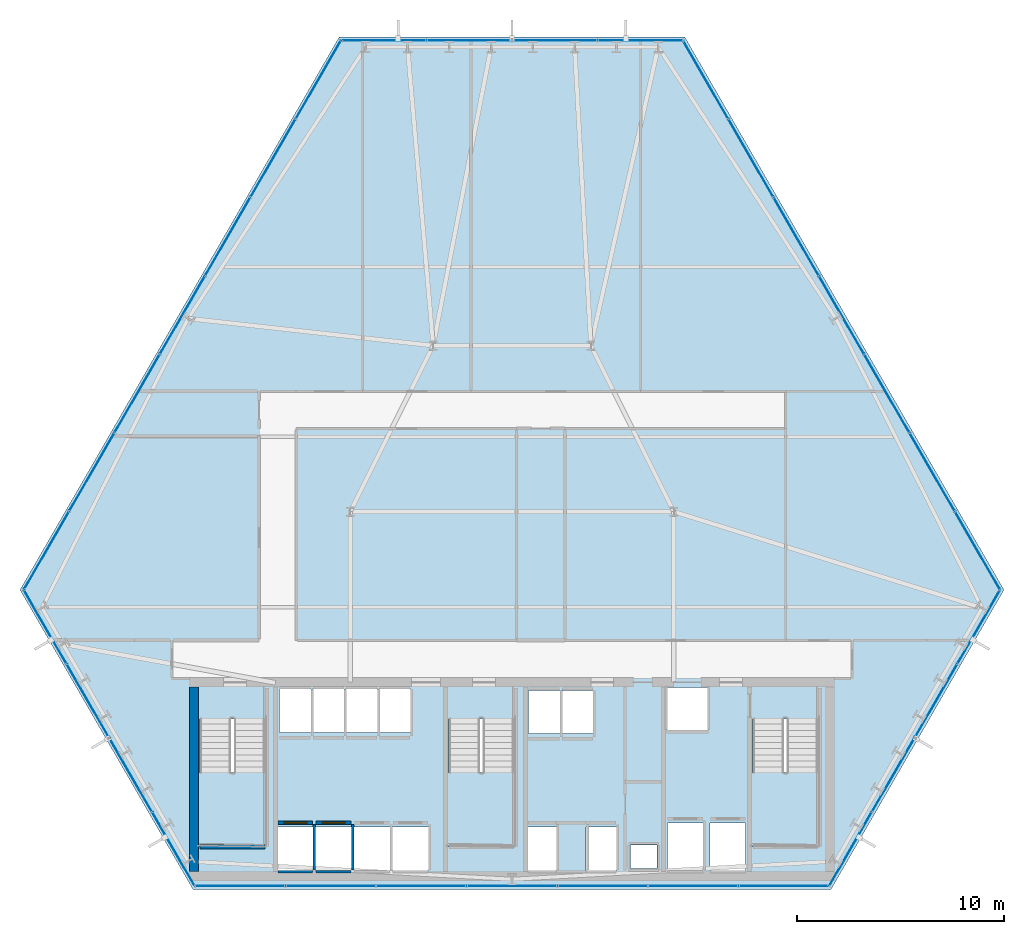
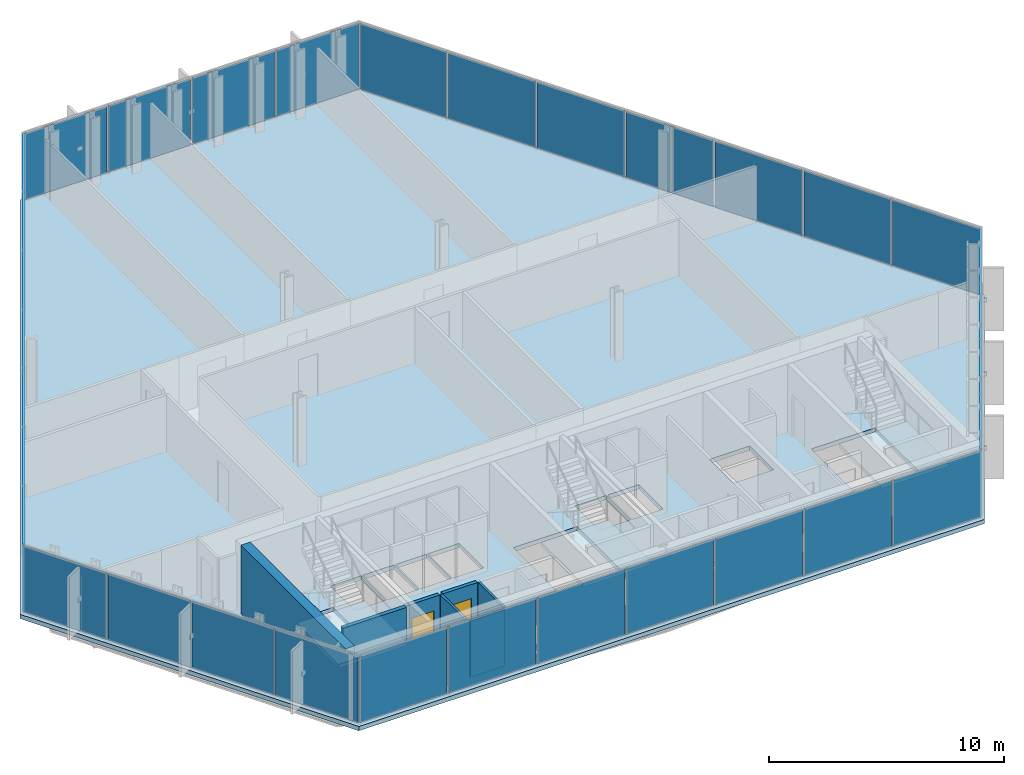
# One storey, part 26 of 33: 33 plates, 8 walls, 4 slabs, 2 doors, 2 openings, 9 elements without a shape of their own.
"""IFC4 building model written with IfcOpenShell, lengths in metres."""

from ifc_helpers import new_model, si_unit, direction, frame, frame_2d, origin, origin_2d, place, context, subcontext, project, spatial, polyline, rectangle, outline, extrude, material, layer, layer_set, type_object, element, fill, aggregate, save


model = new_model("IFC4")

# Units and contexts
model_context = context("Model", 3, precision=1e-05, world=origin(), true_north=direction((0.0, 1.0)))
body_context = subcontext(model_context, "Body", "Model", "MODEL_VIEW")
ifc_project = project(units=[si_unit("LENGTHUNIT", "METRE"), si_unit("AREAUNIT", "SQUARE_METRE"), si_unit("VOLUMEUNIT", "CUBIC_METRE"), si_unit("PLANEANGLEUNIT", "RADIAN"), si_unit("MASSUNIT", "GRAM", prefix="KILO")], contexts=[model_context])

# Site, building, storey
site_placement = place(None, origin())
site = spatial("IfcSite", under=ifc_project, at=site_placement, CompositionType="ELEMENT")
building_placement = place(site_placement, origin())
building = spatial("IfcBuilding", under=site, at=building_placement, Name="Ndaravel Arena Tower", CompositionType="ELEMENT")
storey_placement = place(building_placement, frame((0.0, 0.0, 36.0)))
storey = spatial("IfcBuildingStorey", under=building, at=storey_placement, Name="L06", CompositionType="ELEMENT", Elevation=36.0)

# Curtain wall, plate
ifc_material_1 = material(Name="Aluminium", Category="aluminium")
ifc_layer_1 = layer(ifc_material_1, 0.179931640625)
ifc_layer_set_1 = layer_set([ifc_layer_1], Name="Aluminium")
curtain_wall_type_1 = type_object("IfcCurtainWallType", Name="CW-SYS-01", PredefinedType="NOTDEFINED", material=ifc_layer_set_1)
curtain_wall_1_placement = place(storey_placement, origin())
curtain_wall_1 = element("IfcCurtainWall", 1, at=curtain_wall_1_placement, inside=storey, type_object=curtain_wall_type_1, Name="L06 Faceted Crystal Curtain Wall CW-L06-E02", PredefinedType="NOTDEFINED")
ifc_material_2 = material(Name="Glazing", Category="glass")
ifc_layer_2 = layer(ifc_material_2, 0.035888671875)
ifc_layer_set_2 = layer_set([ifc_layer_2], Name="Glazing")
plate_type_1 = type_object("IfcPlateType", Name="PLT-CW-OPVENT", PredefinedType="CURTAIN_PANEL", material=ifc_layer_set_2)
plate_1_placement = place(storey_placement, frame((60.377685546875, 10.51123046875, 0.06005859375), z_axis=(0.0, 0.0, 1.0), x_axis=(0.5, 0.866025403784, 0.0)))
plate_1 = element("IfcPlate", 2, at=plate_1_placement, type_object=plate_type_1, Name="CW-L06-E02 Operable Vent Sash Panel 02", PredefinedType="CURTAIN_PANEL", context=body_context, shape_type="SweptSolid", body=[
    extrude(rectangle(XDim=4.039306640625, YDim=0.035888671875, at=origin_2d()), origin(), (0.0, 0.0, 1.0), 3.4599609375),
])

curtain_wall_2_placement = place(storey_placement, origin())
curtain_wall_2 = element("IfcCurtainWall", 3, at=curtain_wall_2_placement, inside=storey, type_object=curtain_wall_type_1, Name="L06 Faceted Crystal Curtain Wall CW-L06-E04", PredefinedType="NOTDEFINED")
plate_2_placement = place(storey_placement, frame((44.059814453125, 45.909912109375, 0.06005859375), z_axis=(0.0, 0.0, 1.0), x_axis=(-1.0, 0.0, 0.0)))
plate_2 = element("IfcPlate", 4, at=plate_2_placement, type_object=plate_type_1, Name="CW-L06-E04 Operable Vent Sash Panel 02", PredefinedType="CURTAIN_PANEL", context=body_context, shape_type="SweptSolid", body=[
    extrude(rectangle(XDim=4.039306640625, YDim=0.035888671875, at=origin_2d()), origin(), (0.0, 0.0, 1.0), 3.4599609375),
])

ifc_material_3 = material(Name="Aluminium", Category="aluminium")
ifc_layer_3 = layer(ifc_material_3, 0.179931640625)
ifc_layer_set_3 = layer_set([ifc_layer_3], Name="Aluminium")
curtain_wall_type_2 = type_object("IfcCurtainWallType", Name="CW-SYS-02", PredefinedType="NOTDEFINED", material=ifc_layer_set_3)
curtain_wall_3_placement = place(storey_placement, origin())
curtain_wall_3 = element("IfcCurtainWall", 5, at=curtain_wall_3_placement, inside=storey, type_object=curtain_wall_type_2, Name="L06 Faceted Crystal Curtain Wall CW-L06-E06", PredefinedType="NOTDEFINED")
plate_3_placement = place(storey_placement, frame((21.5625, 14.07861328125, 0.06005859375), z_axis=(0.0, 0.0, 1.0), x_axis=(0.5, -0.866025403784, 0.0)))
plate_3 = element("IfcPlate", 6, at=plate_3_placement, type_object=plate_type_1, Name="CW-L06-E06 Operable Vent Sash Panel 02", PredefinedType="CURTAIN_PANEL", context=body_context, shape_type="SweptSolid", body=[
    extrude(rectangle(XDim=4.039306640625, YDim=0.035888671875, at=origin_2d()), origin(), (0.0, 0.0, 1.0), 3.4599609375),
])

# Plate
ifc_material_4 = material(Name="Glazing", Category="glass")
ifc_layer_4 = layer(ifc_material_4, 0.031982421875)
ifc_layer_set_4 = layer_set([ifc_layer_4], Name="Glazing")
plate_type_2 = type_object("IfcPlateType", Name="PLT-GLZ-FRIT35", PredefinedType="CURTAIN_PANEL", material=ifc_layer_set_4)
plate_4_placement = place(storey_placement, frame((58.318115234375, 6.943603515625, 0.06005859375), z_axis=(0.0, 0.0, 1.0), x_axis=(0.5, 0.866025403784, 0.0)))
plate_4 = element("IfcPlate", 7, at=plate_4_placement, type_object=plate_type_2, Name="CW-L06-E02 Vision Glass Panel 01", PredefinedType="CURTAIN_PANEL", context=body_context, shape_type="SweptSolid", body=[
    extrude(rectangle(XDim=4.039306640625, YDim=0.035888671875, at=origin_2d()), origin(), (0.0, 0.0, 1.0), 3.4599609375),
])

plate_5_placement = place(storey_placement, frame((62.4375, 14.07861328125, 0.06005859375), z_axis=(0.0, 0.0, 1.0), x_axis=(0.5, 0.866025403784, 0.0)))
plate_5 = element("IfcPlate", 8, at=plate_5_placement, type_object=plate_type_2, Name="CW-L06-E02 Vision Glass Panel 03", PredefinedType="CURTAIN_PANEL", context=body_context, shape_type="SweptSolid", body=[
    extrude(rectangle(XDim=4.039306640625, YDim=0.035888671875, at=origin_2d()), origin(), (0.0, 0.0, 1.0), 3.4599609375),
])

plate_6_placement = place(storey_placement, frame((64.497314453125, 17.646240234375, 0.06005859375), z_axis=(0.0, 0.0, 1.0), x_axis=(0.5, 0.866025403784, 0.0)))
plate_6 = element("IfcPlate", 9, at=plate_6_placement, type_object=plate_type_2, Name="CW-L06-E02 Vision Glass Panel 04", PredefinedType="CURTAIN_PANEL", context=body_context, shape_type="SweptSolid", body=[
    extrude(rectangle(XDim=4.039306640625, YDim=0.035888671875, at=origin_2d()), origin(), (0.0, 0.0, 1.0), 3.4599609375),
])

aggregate(curtain_wall_1, [plate_4, plate_1, plate_5, plate_6])

plate_7_placement = place(storey_placement, frame((48.17919921875, 45.909912109375, 0.06005859375), z_axis=(0.0, 0.0, 1.0), x_axis=(-1.0, 0.0, 0.0)))
plate_7 = element("IfcPlate", 10, at=plate_7_placement, type_object=plate_type_2, Name="CW-L06-E04 Vision Glass Panel 01", PredefinedType="CURTAIN_PANEL", context=body_context, shape_type="SweptSolid", body=[
    extrude(rectangle(XDim=4.039306640625, YDim=0.035888671875, at=origin_2d()), origin(), (0.0, 0.0, 1.0), 3.4599609375),
])

plate_8_placement = place(storey_placement, frame((39.940185546875, 45.909912109375, 0.06005859375), z_axis=(0.0, 0.0, 1.0), x_axis=(-1.0, 0.0, 0.0)))
plate_8 = element("IfcPlate", 11, at=plate_8_placement, type_object=plate_type_2, Name="CW-L06-E04 Vision Glass Panel 03", PredefinedType="CURTAIN_PANEL", context=body_context, shape_type="SweptSolid", body=[
    extrude(rectangle(XDim=4.039306640625, YDim=0.035888671875, at=origin_2d()), origin(), (0.0, 0.0, 1.0), 3.4599609375),
])

plate_9_placement = place(storey_placement, frame((35.82080078125, 45.909912109375, 0.06005859375), z_axis=(0.0, 0.0, 1.0), x_axis=(-1.0, 0.0, 0.0)))
plate_9 = element("IfcPlate", 12, at=plate_9_placement, type_object=plate_type_2, Name="CW-L06-E04 Vision Glass Panel 04", PredefinedType="CURTAIN_PANEL", context=body_context, shape_type="SweptSolid", body=[
    extrude(rectangle(XDim=4.039306640625, YDim=0.035888671875, at=origin_2d()), origin(), (0.0, 0.0, 1.0), 3.4599609375),
])

aggregate(curtain_wall_2, [plate_7, plate_2, plate_8, plate_9])

ifc_material_5 = material(Name="Glazing", Category="glass")
ifc_layer_5 = layer(ifc_material_5, 0.035888671875)
ifc_layer_set_5 = layer_set([ifc_layer_5], Name="Glazing")
plate_type_3 = type_object("IfcPlateType", Name="PLT-GLZ-FRIT55", PredefinedType="CURTAIN_PANEL", material=ifc_layer_set_5)
plate_10_placement = place(storey_placement, frame((19.502685546875, 17.646240234375, 0.06005859375), z_axis=(0.0, 0.0, 1.0), x_axis=(0.5, -0.866025403784, 0.0)))
plate_10 = element("IfcPlate", 13, at=plate_10_placement, type_object=plate_type_3, Name="CW-L06-E06 Vision Glass Panel 01", PredefinedType="CURTAIN_PANEL", context=body_context, shape_type="SweptSolid", body=[
    extrude(rectangle(XDim=4.039306640625, YDim=0.035888671875, at=origin_2d()), origin(), (0.0, 0.0, 1.0), 3.4599609375),
])

plate_11_placement = place(storey_placement, frame((23.622314453125, 10.51123046875, 0.06005859375), z_axis=(0.0, 0.0, 1.0), x_axis=(0.5, -0.866025403784, 0.0)))
plate_11 = element("IfcPlate", 14, at=plate_11_placement, type_object=plate_type_3, Name="CW-L06-E06 Vision Glass Panel 03", PredefinedType="CURTAIN_PANEL", context=body_context, shape_type="SweptSolid", body=[
    extrude(rectangle(XDim=4.039306640625, YDim=0.035888671875, at=origin_2d()), origin(), (0.0, 0.0, 1.0), 3.4599609375),
])

plate_12_placement = place(storey_placement, frame((25.681884765625, 6.94384765625, 0.06005859375), z_axis=(0.0, 0.0, 1.0), x_axis=(0.5, -0.866025403784, 0.0)))
plate_12 = element("IfcPlate", 15, at=plate_12_placement, type_object=plate_type_3, Name="CW-L06-E06 Vision Glass Panel 04", PredefinedType="CURTAIN_PANEL", context=body_context, shape_type="SweptSolid", body=[
    extrude(rectangle(XDim=4.039306640625, YDim=0.035888671875, at=origin_2d()), origin(), (0.0, 0.0, 1.0), 3.4599609375),
])

aggregate(curtain_wall_3, [plate_10, plate_3, plate_11, plate_12])

# Curtain wall, plates
ifc_material_6 = material(Name="Aluminium", Category="aluminium")
ifc_layer_6 = layer(ifc_material_6, 0.179931640625)
ifc_layer_set_6 = layer_set([ifc_layer_6], Name="Aluminium")
curtain_wall_type_3 = type_object("IfcCurtainWallType", Name="CW-SYS-03", PredefinedType="NOTDEFINED", material=ifc_layer_set_6)
curtain_wall_4_placement = place(storey_placement, origin())
curtain_wall_4 = element("IfcCurtainWall", 16, at=curtain_wall_4_placement, inside=storey, type_object=curtain_wall_type_3, Name="L06 Faceted Crystal Curtain Wall CW-L06-E01", PredefinedType="NOTDEFINED")
ifc_material_7 = material(Name="Glazing", Category="glass")
ifc_layer_7 = layer(ifc_material_7, 0.0400390625)
ifc_layer_set_7 = layer_set([ifc_layer_7], Name="Glazing")
plate_type_4 = type_object("IfcPlateType", Name="PLT-GLZ-LOWIRON", PredefinedType="CURTAIN_PANEL", material=ifc_layer_set_7)
plate_13_placement = place(storey_placement, frame((28.895751953125, 5.159912109375, 0.06005859375), z_axis=(0.0, 0.0, 1.0), x_axis=(1.0, 0.0, 0.0)))
plate_13 = element("IfcPlate", 17, at=plate_13_placement, type_object=plate_type_4, Name="CW-L06-E01 Vision Glass Panel 01", PredefinedType="CURTAIN_PANEL", context=body_context, shape_type="SweptSolid", body=[
    extrude(rectangle(XDim=4.2880859375, YDim=0.035888671875, at=origin_2d()), origin(), (0.0, 0.0, 1.0), 3.4599609375),
])
plate_14_placement = place(storey_placement, frame((33.263916015625, 5.159912109375, 0.06005859375), z_axis=(0.0, 0.0, 1.0), x_axis=(1.0, 0.0, 0.0)))
plate_14 = element("IfcPlate", 18, at=plate_14_placement, type_object=plate_type_4, Name="CW-L06-E01 Vision Glass Panel 02", PredefinedType="CURTAIN_PANEL", context=body_context, shape_type="SweptSolid", body=[
    extrude(rectangle(XDim=4.2880859375, YDim=0.035888671875, at=origin_2d()), origin(), (0.0, 0.0, 1.0), 3.4599609375),
])
plate_15_placement = place(storey_placement, frame((37.6318359375, 5.159912109375, 0.06005859375), z_axis=(0.0, 0.0, 1.0), x_axis=(1.0, 0.0, 0.0)))
plate_15 = element("IfcPlate", 19, at=plate_15_placement, type_object=plate_type_4, Name="CW-L06-E01 Vision Glass Panel 03", PredefinedType="CURTAIN_PANEL", context=body_context, shape_type="SweptSolid", body=[
    extrude(rectangle(XDim=4.2880859375, YDim=0.035888671875, at=origin_2d()), origin(), (0.0, 0.0, 1.0), 3.4599609375),
])
plate_16_placement = place(storey_placement, frame((42.0, 5.159912109375, 0.06005859375), z_axis=(0.0, 0.0, 1.0), x_axis=(1.0, 0.0, 0.0)))
plate_16 = element("IfcPlate", 20, at=plate_16_placement, type_object=plate_type_4, Name="CW-L06-E01 Vision Glass Panel 04", PredefinedType="CURTAIN_PANEL", context=body_context, shape_type="SweptSolid", body=[
    extrude(rectangle(XDim=4.2880859375, YDim=0.035888671875, at=origin_2d()), origin(), (0.0, 0.0, 1.0), 3.4599609375),
])
plate_17_placement = place(storey_placement, frame((46.3681640625, 5.159912109375, 0.06005859375), z_axis=(0.0, 0.0, 1.0), x_axis=(1.0, 0.0, 0.0)))
plate_17 = element("IfcPlate", 21, at=plate_17_placement, type_object=plate_type_4, Name="CW-L06-E01 Vision Glass Panel 05", PredefinedType="CURTAIN_PANEL", context=body_context, shape_type="SweptSolid", body=[
    extrude(rectangle(XDim=4.2880859375, YDim=0.035888671875, at=origin_2d()), origin(), (0.0, 0.0, 1.0), 3.4599609375),
])
plate_18_placement = place(storey_placement, frame((50.736083984375, 5.159912109375, 0.06005859375), z_axis=(0.0, 0.0, 1.0), x_axis=(1.0, 0.0, 0.0)))
plate_18 = element("IfcPlate", 22, at=plate_18_placement, type_object=plate_type_4, Name="CW-L06-E01 Vision Glass Panel 06", PredefinedType="CURTAIN_PANEL", context=body_context, shape_type="SweptSolid", body=[
    extrude(rectangle(XDim=4.2880859375, YDim=0.035888671875, at=origin_2d()), origin(), (0.0, 0.0, 1.0), 3.4599609375),
])
plate_19_placement = place(storey_placement, frame((55.104248046875, 5.159912109375, 0.06005859375), z_axis=(0.0, 0.0, 1.0), x_axis=(1.0, 0.0, 0.0)))
plate_19 = element("IfcPlate", 23, at=plate_19_placement, type_object=plate_type_4, Name="CW-L06-E01 Vision Glass Panel 07", PredefinedType="CURTAIN_PANEL", context=body_context, shape_type="SweptSolid", body=[
    extrude(rectangle(XDim=4.2880859375, YDim=0.035888671875, at=origin_2d()), origin(), (0.0, 0.0, 1.0), 3.4599609375),
])
aggregate(curtain_wall_4, [plate_13, plate_14, plate_15, plate_16, plate_17, plate_18, plate_19])

curtain_wall_5_placement = place(storey_placement, origin())
curtain_wall_5 = element("IfcCurtainWall", 24, at=curtain_wall_5_placement, inside=storey, type_object=curtain_wall_type_3, Name="L06 Faceted Crystal Curtain Wall CW-L06-E03", PredefinedType="NOTDEFINED")
plate_20_placement = place(storey_placement, frame((64.43505859375, 21.3212890625, 0.06005859375), z_axis=(0.0, 0.0, 1.0), x_axis=(-0.5, 0.866025403784, 0.0)))
plate_20 = element("IfcPlate", 25, at=plate_20_placement, type_object=plate_type_4, Name="CW-L06-E03 Vision Glass Panel 01", PredefinedType="CURTAIN_PANEL", context=body_context, shape_type="SweptSolid", body=[
    extrude(rectangle(XDim=4.2880859375, YDim=0.035888671875, at=origin_2d()), origin(), (0.0, 0.0, 1.0), 3.4599609375),
])
plate_21_placement = place(storey_placement, frame((62.2509765625, 25.104248046875, 0.06005859375), z_axis=(0.0, 0.0, 1.0), x_axis=(-0.5, 0.866025403784, 0.0)))
plate_21 = element("IfcPlate", 26, at=plate_21_placement, type_object=plate_type_4, Name="CW-L06-E03 Vision Glass Panel 02", PredefinedType="CURTAIN_PANEL", context=body_context, shape_type="SweptSolid", body=[
    extrude(rectangle(XDim=4.2880859375, YDim=0.035888671875, at=origin_2d()), origin(), (0.0, 0.0, 1.0), 3.4599609375),
])
plate_22_placement = place(storey_placement, frame((60.06689453125, 28.88720703125, 0.06005859375), z_axis=(0.0, 0.0, 1.0), x_axis=(-0.5, 0.866025403784, 0.0)))
plate_22 = element("IfcPlate", 27, at=plate_22_placement, type_object=plate_type_4, Name="CW-L06-E03 Vision Glass Panel 03", PredefinedType="CURTAIN_PANEL", context=body_context, shape_type="SweptSolid", body=[
    extrude(rectangle(XDim=4.2880859375, YDim=0.035888671875, at=origin_2d()), origin(), (0.0, 0.0, 1.0), 3.4599609375),
])
plate_23_placement = place(storey_placement, frame((57.8828125, 32.669921875, 0.06005859375), z_axis=(0.0, 0.0, 1.0), x_axis=(-0.5, 0.866025403784, 0.0)))
plate_23 = element("IfcPlate", 28, at=plate_23_placement, type_object=plate_type_4, Name="CW-L06-E03 Vision Glass Panel 04", PredefinedType="CURTAIN_PANEL", context=body_context, shape_type="SweptSolid", body=[
    extrude(rectangle(XDim=4.2880859375, YDim=0.035888671875, at=origin_2d()), origin(), (0.0, 0.0, 1.0), 3.4599609375),
])
plate_24_placement = place(storey_placement, frame((55.698974609375, 36.452880859375, 0.06005859375), z_axis=(0.0, 0.0, 1.0), x_axis=(-0.5, 0.866025403784, 0.0)))
plate_24 = element("IfcPlate", 29, at=plate_24_placement, type_object=plate_type_4, Name="CW-L06-E03 Vision Glass Panel 05", PredefinedType="CURTAIN_PANEL", context=body_context, shape_type="SweptSolid", body=[
    extrude(rectangle(XDim=4.2880859375, YDim=0.035888671875, at=origin_2d()), origin(), (0.0, 0.0, 1.0), 3.4599609375),
])
plate_25_placement = place(storey_placement, frame((53.514892578125, 40.235595703125, 0.06005859375), z_axis=(0.0, 0.0, 1.0), x_axis=(-0.5, 0.866025403784, 0.0)))
plate_25 = element("IfcPlate", 30, at=plate_25_placement, type_object=plate_type_4, Name="CW-L06-E03 Vision Glass Panel 06", PredefinedType="CURTAIN_PANEL", context=body_context, shape_type="SweptSolid", body=[
    extrude(rectangle(XDim=4.2880859375, YDim=0.035888671875, at=origin_2d()), origin(), (0.0, 0.0, 1.0), 3.4599609375),
])
plate_26_placement = place(storey_placement, frame((51.330810546875, 44.0185546875, 0.06005859375), z_axis=(0.0, 0.0, 1.0), x_axis=(-0.5, 0.866025403784, 0.0)))
plate_26 = element("IfcPlate", 31, at=plate_26_placement, type_object=plate_type_4, Name="CW-L06-E03 Vision Glass Panel 07", PredefinedType="CURTAIN_PANEL", context=body_context, shape_type="SweptSolid", body=[
    extrude(rectangle(XDim=4.2880859375, YDim=0.035888671875, at=origin_2d()), origin(), (0.0, 0.0, 1.0), 3.4599609375),
])
aggregate(curtain_wall_5, [plate_20, plate_21, plate_22, plate_23, plate_24, plate_25, plate_26])

curtain_wall_6_placement = place(storey_placement, origin())
curtain_wall_6 = element("IfcCurtainWall", 32, at=curtain_wall_6_placement, inside=storey, type_object=curtain_wall_type_3, Name="L06 Faceted Crystal Curtain Wall CW-L06-E05", PredefinedType="NOTDEFINED")
plate_27_placement = place(storey_placement, frame((32.669189453125, 44.0185546875, 0.06005859375), z_axis=(0.0, 0.0, 1.0), x_axis=(-0.5, -0.866025403784, 0.0)))
plate_27 = element("IfcPlate", 33, at=plate_27_placement, type_object=plate_type_4, Name="CW-L06-E05 Vision Glass Panel 01", PredefinedType="CURTAIN_PANEL", context=body_context, shape_type="SweptSolid", body=[
    extrude(rectangle(XDim=4.2880859375, YDim=0.035888671875, at=origin_2d()), origin(), (0.0, 0.0, 1.0), 3.4599609375),
])
plate_28_placement = place(storey_placement, frame((30.485107421875, 40.235595703125, 0.06005859375), z_axis=(0.0, 0.0, 1.0), x_axis=(-0.5, -0.866025403784, 0.0)))
plate_28 = element("IfcPlate", 34, at=plate_28_placement, type_object=plate_type_4, Name="CW-L06-E05 Vision Glass Panel 02", PredefinedType="CURTAIN_PANEL", context=body_context, shape_type="SweptSolid", body=[
    extrude(rectangle(XDim=4.2880859375, YDim=0.035888671875, at=origin_2d()), origin(), (0.0, 0.0, 1.0), 3.4599609375),
])
plate_29_placement = place(storey_placement, frame((28.301025390625, 36.452880859375, 0.06005859375), z_axis=(0.0, 0.0, 1.0), x_axis=(-0.5, -0.866025403784, 0.0)))
plate_29 = element("IfcPlate", 35, at=plate_29_placement, type_object=plate_type_4, Name="CW-L06-E05 Vision Glass Panel 03", PredefinedType="CURTAIN_PANEL", context=body_context, shape_type="SweptSolid", body=[
    extrude(rectangle(XDim=4.2880859375, YDim=0.035888671875, at=origin_2d()), origin(), (0.0, 0.0, 1.0), 3.4599609375),
])
plate_30_placement = place(storey_placement, frame((26.1171875, 32.669921875, 0.06005859375), z_axis=(0.0, 0.0, 1.0), x_axis=(-0.5, -0.866025403784, 0.0)))
plate_30 = element("IfcPlate", 36, at=plate_30_placement, type_object=plate_type_4, Name="CW-L06-E05 Vision Glass Panel 04", PredefinedType="CURTAIN_PANEL", context=body_context, shape_type="SweptSolid", body=[
    extrude(rectangle(XDim=4.2880859375, YDim=0.035888671875, at=origin_2d()), origin(), (0.0, 0.0, 1.0), 3.4599609375),
])
plate_31_placement = place(storey_placement, frame((23.93310546875, 28.88720703125, 0.06005859375), z_axis=(0.0, 0.0, 1.0), x_axis=(-0.5, -0.866025403784, 0.0)))
plate_31 = element("IfcPlate", 37, at=plate_31_placement, type_object=plate_type_4, Name="CW-L06-E05 Vision Glass Panel 05", PredefinedType="CURTAIN_PANEL", context=body_context, shape_type="SweptSolid", body=[
    extrude(rectangle(XDim=4.2880859375, YDim=0.035888671875, at=origin_2d()), origin(), (0.0, 0.0, 1.0), 3.4599609375),
])
plate_32_placement = place(storey_placement, frame((21.7490234375, 25.104248046875, 0.06005859375), z_axis=(0.0, 0.0, 1.0), x_axis=(-0.5, -0.866025403784, 0.0)))
plate_32 = element("IfcPlate", 38, at=plate_32_placement, type_object=plate_type_4, Name="CW-L06-E05 Vision Glass Panel 06", PredefinedType="CURTAIN_PANEL", context=body_context, shape_type="SweptSolid", body=[
    extrude(rectangle(XDim=4.2880859375, YDim=0.035888671875, at=origin_2d()), origin(), (0.0, 0.0, 1.0), 3.4599609375),
])
plate_33_placement = place(storey_placement, frame((19.56494140625, 21.3212890625, 0.06005859375), z_axis=(0.0, 0.0, 1.0), x_axis=(-0.5, -0.866025403784, 0.0)))
plate_33 = element("IfcPlate", 39, at=plate_33_placement, type_object=plate_type_4, Name="CW-L06-E05 Vision Glass Panel 07", PredefinedType="CURTAIN_PANEL", context=body_context, shape_type="SweptSolid", body=[
    extrude(rectangle(XDim=4.2880859375, YDim=0.035888671875, at=origin_2d()), origin(), (0.0, 0.0, 1.0), 3.4599609375),
])
aggregate(curtain_wall_6, [plate_27, plate_28, plate_29, plate_30, plate_31, plate_32, plate_33])

# Stair, slab
ifc_material_8 = material(Name="Concrete C40/50", Category="concrete")
stair_type = type_object("IfcStairType", Name="STAIR-CORE-HT", PredefinedType="HALF_TURN_STAIR", material=ifc_material_8)
stair_1_placement = place(storey_placement, origin())
stair_1 = element("IfcStair", 40, at=stair_1_placement, inside=storey, type_object=stair_type, Name="L06 ST-1", PredefinedType="HALF_TURN_STAIR")
ifc_material_9 = material(Name="Concrete C40/50", Category="concrete")
ifc_layer_8 = layer(ifc_material_9, 0.199951171875)
ifc_layer_set_8 = layer_set([ifc_layer_8], Name="Concrete C40/50")
slab_type_1 = type_object("IfcSlabType", Name="SLAB-STAIR-LANDING", PredefinedType="LANDING", material=ifc_layer_set_8)
slab_1_placement = place(storey_placement, frame((0.0, 0.0, 1.699951171875)))
slab_1 = element("IfcSlab", 41, at=slab_1_placement, type_object=slab_type_1, Name="ST-1 landing 1", PredefinedType="LANDING", context=body_context, shape_type="SweptSolid", body=[
    extrude(outline(polyline([(26.81005859375, 10.6298828125), (26.81005859375, 7.070068359375), (30.169921875, 7.070068359375), (30.169921875, 10.6298828125), (26.81005859375, 10.6298828125)])), origin(), (0.0, 0.0, 1.0), 0.199951171875),
])
aggregate(stair_1, [slab_1])

stair_2_placement = place(storey_placement, origin())
stair_2 = element("IfcStair", 42, at=stair_2_placement, inside=storey, type_object=stair_type, Name="L06 ST-2", PredefinedType="HALF_TURN_STAIR")
slab_2_placement = place(storey_placement, frame((0.0, 0.0, 1.699951171875)))
slab_2 = element("IfcSlab", 43, at=slab_2_placement, type_object=slab_type_1, Name="ST-2 landing 1", PredefinedType="LANDING", context=body_context, shape_type="SweptSolid", body=[
    extrude(outline(polyline([(38.81005859375, 10.6298828125), (38.81005859375, 7.070068359375), (42.169921875, 7.070068359375), (42.169921875, 10.6298828125), (38.81005859375, 10.6298828125)])), origin(), (0.0, 0.0, 1.0), 0.199951171875),
])
aggregate(stair_2, [slab_2])

stair_3_placement = place(storey_placement, origin())
stair_3 = element("IfcStair", 44, at=stair_3_placement, inside=storey, type_object=stair_type, Name="L06 ST-3", PredefinedType="HALF_TURN_STAIR")
slab_3_placement = place(storey_placement, frame((0.0, 0.0, 1.699951171875)))
slab_3 = element("IfcSlab", 45, at=slab_3_placement, type_object=slab_type_1, Name="ST-3 landing 1", PredefinedType="LANDING", context=body_context, shape_type="SweptSolid", body=[
    extrude(outline(polyline([(53.4599609375, 10.6298828125), (53.4599609375, 7.070068359375), (56.820068359375, 7.070068359375), (56.820068359375, 10.6298828125), (53.4599609375, 10.6298828125)])), origin(), (0.0, 0.0, 1.0), 0.199951171875),
])
aggregate(stair_3, [slab_3])

# Slab
ifc_material_10 = material(Name="Concrete C40/50", Category="concrete")
ifc_layer_9 = layer(ifc_material_10, 0.219970703125)
ifc_layer_set_9 = layer_set([ifc_layer_9], Name="Concrete C40/50")
slab_type_2 = type_object("IfcSlabType", Name="SLAB-TWR-220", PredefinedType="FLOOR", material=ifc_layer_set_9)
slab_4_placement = place(storey_placement, frame((0.0, 0.0, -0.219970703125)))
element("IfcSlab", 46, at=slab_4_placement, inside=storey, type_object=slab_type_2, Name="L06 Structural Floor Slab", PredefinedType="FLOOR", context=body_context, shape_type="SweptSolid", body=[
    extrude(outline(polyline([(18.2880859375, 19.429931640625), (26.619384765625, 5.0), (57.380615234375, 5.0), (65.7119140625, 19.429931640625), (50.331298828125, 46.070068359375), (33.668701171875, 46.070068359375), (18.2880859375, 19.429931640625)]), holes=[polyline([(26.949951171875, 13.215087890625), (26.949951171875, 7.14990234375), (30.090087890625, 7.14990234375), (30.090087890625, 13.215087890625), (26.949951171875, 13.215087890625)]), polyline([(38.949951171875, 13.215087890625), (38.949951171875, 7.14990234375), (42.090087890625, 7.14990234375), (42.090087890625, 13.215087890625), (38.949951171875, 13.215087890625)]), polyline([(53.60009765625, 13.215087890625), (53.60009765625, 7.14990234375), (56.739990234375, 7.14990234375), (56.739990234375, 13.215087890625), (53.60009765625, 13.215087890625)]), polyline([(30.68505859375, 5.909912109375), (32.4150390625, 5.909912109375), (32.4150390625, 7.989990234375), (30.68505859375, 7.989990234375), (30.68505859375, 5.909912109375)]), polyline([(32.534912109375, 5.909912109375), (34.264892578125, 5.909912109375), (34.264892578125, 7.989990234375), (32.534912109375, 7.989990234375), (32.534912109375, 5.909912109375)]), polyline([(34.385009765625, 5.909912109375), (36.114990234375, 5.909912109375), (36.114990234375, 7.989990234375), (34.385009765625, 7.989990234375), (34.385009765625, 5.909912109375)]), polyline([(36.235107421875, 5.909912109375), (37.965087890625, 5.909912109375), (37.965087890625, 7.989990234375), (36.235107421875, 7.989990234375), (36.235107421875, 5.909912109375)]), polyline([(30.784912109375, 12.56005859375), (32.31494140625, 12.56005859375), (32.31494140625, 14.639892578125), (30.784912109375, 14.639892578125), (30.784912109375, 12.56005859375)]), polyline([(32.385009765625, 12.56005859375), (33.9150390625, 12.56005859375), (33.9150390625, 14.639892578125), (32.385009765625, 14.639892578125), (32.385009765625, 12.56005859375)]), polyline([(33.985107421875, 12.56005859375), (35.514892578125, 12.56005859375), (35.514892578125, 14.639892578125), (33.985107421875, 14.639892578125), (33.985107421875, 12.56005859375)]), polyline([(35.5849609375, 12.56005859375), (37.114990234375, 12.56005859375), (37.114990234375, 14.639892578125), (35.5849609375, 14.639892578125), (35.5849609375, 12.56005859375)]), polyline([(42.659912109375, 5.909912109375), (44.139892578125, 5.909912109375), (44.139892578125, 7.989990234375), (42.659912109375, 7.989990234375), (42.659912109375, 5.909912109375)]), polyline([(45.56005859375, 5.909912109375), (47.0400390625, 5.909912109375), (47.0400390625, 7.989990234375), (45.56005859375, 7.989990234375), (45.56005859375, 5.909912109375)]), polyline([(42.784912109375, 12.510009765625), (44.31494140625, 12.510009765625), (44.31494140625, 14.590087890625), (42.784912109375, 14.590087890625), (42.784912109375, 12.510009765625)]), polyline([(44.385009765625, 12.510009765625), (45.9150390625, 12.510009765625), (45.9150390625, 14.590087890625), (44.385009765625, 14.590087890625), (44.385009765625, 12.510009765625)]), polyline([(49.485107421875, 5.909912109375), (51.215087890625, 5.909912109375), (51.215087890625, 8.18994140625), (49.485107421875, 8.18994140625), (49.485107421875, 5.909912109375)]), polyline([(51.534912109375, 5.909912109375), (53.264892578125, 5.909912109375), (53.264892578125, 8.18994140625), (51.534912109375, 8.18994140625), (51.534912109375, 5.909912109375)]), polyline([(49.4599609375, 12.68505859375), (51.43994140625, 12.68505859375), (51.43994140625, 14.715087890625), (49.4599609375, 14.715087890625), (49.4599609375, 12.68505859375)]), polyline([(47.699951171875, 6.0), (49.0, 6.0), (49.0, 7.139892578125), (47.699951171875, 7.139892578125), (47.699951171875, 6.0)])]), origin(), (0.0, 0.0, 1.0), 0.219970703125),
])

# Walls
ifc_material_11 = material(Name="Concrete C60/75", Category="concrete")
ifc_layer_10 = layer(ifc_material_11, 0.449951171875)
ifc_layer_set_10 = layer_set([ifc_layer_10], Name="Concrete C60/75")
wall_type_1 = type_object("IfcWallType", Name="WALL-CORE-450", PredefinedType="SOLIDWALL", material=ifc_layer_set_10)
wall_1_placement = place(storey_placement, frame((26.675048828125, 5.85009765625, 0.0), z_axis=(0.0, 0.0, 1.0), x_axis=(0.0, 1.0, 0.0)))
element("IfcWall", 47, at=wall_1_placement, inside=storey, type_object=wall_type_1, Name="L06 Core West Shear Wall", PredefinedType="SOLIDWALL", context=body_context, shape_type="SweptSolid", body=[
    extrude(rectangle(XDim=8.89990234375, YDim=0.449951171875, at=frame_2d((4.449951171875, 0.0))), origin(), (0.0, 0.0, 1.0), 3.580078125),
])
ifc_material_12 = material(Name="Concrete C40/50", Category="concrete")
ifc_layer_11 = layer(ifc_material_12, 0.1201171875)
ifc_layer_set_11 = layer_set([ifc_layer_11], Name="Concrete C40/50")
wall_type_2 = type_object("IfcWallType", Name="WALL-SHAFT-120", PredefinedType="SOLIDWALL", material=ifc_layer_set_11)
wall_2_placement = place(storey_placement, frame((30.72998046875, 5.840087890625, 0.0), z_axis=(0.0, 0.0, 1.0), x_axis=(1.0, 0.0, 0.0)))
element("IfcWall", 48, at=wall_2_placement, inside=storey, type_object=wall_type_2, Name="L06 PL-L1 Shaft Rear Wall", PredefinedType="SOLIDWALL", context=body_context, shape_type="SweptSolid", body=[
    extrude(rectangle(XDim=1.6650390625, YDim=0.1201171875, at=frame_2d((0.83251953125, 0.0))), origin(), (0.0, 0.0, 1.0), 2.932861328125),
])
wall_3_placement = place(storey_placement, frame((32.47509765625, 5.929931640625, 0.0), z_axis=(0.0, 0.0, 1.0), x_axis=(0.0, 1.0, 0.0)))
element("IfcWall", 49, at=wall_3_placement, inside=storey, type_object=wall_type_2, Name="L06 PL-L1 Shaft Side R Wall", PredefinedType="SOLIDWALL", context=body_context, shape_type="SweptSolid", body=[
    extrude(rectangle(XDim=2.18017578125, YDim=0.1201171875, at=frame_2d((1.090087890625, 0.0))), origin(), (0.0, 0.0, 1.0), 2.932861328125),
])
wall_4_placement = place(storey_placement, frame((32.554931640625, 5.840087890625, 0.0), z_axis=(0.0, 0.0, 1.0), x_axis=(1.0, 0.0, 0.0)))
element("IfcWall", 50, at=wall_4_placement, inside=storey, type_object=wall_type_2, Name="L06 PL-L2 Shaft Rear Wall", PredefinedType="SOLIDWALL", context=body_context, shape_type="SweptSolid", body=[
    extrude(rectangle(XDim=1.690185546875, YDim=0.1201171875, at=frame_2d((0.84521484375, 0.0))), origin(), (0.0, 0.0, 1.0), 2.932861328125),
])
wall_5_placement = place(storey_placement, frame((34.324951171875, 5.929931640625, 0.0), z_axis=(0.0, 0.0, 1.0), x_axis=(0.0, 1.0, 0.0)))
element("IfcWall", 51, at=wall_5_placement, inside=storey, type_object=wall_type_2, Name="L06 PL-L2 Shaft Side R Wall", PredefinedType="SOLIDWALL", context=body_context, shape_type="SweptSolid", body=[
    extrude(rectangle(XDim=2.18017578125, YDim=0.1201171875, at=frame_2d((1.090087890625, 0.0))), origin(), (0.0, 0.0, 1.0), 2.932861328125),
])
ifc_material_13 = material(Name="Concrete C40/50", Category="concrete")
ifc_layer_12 = layer(ifc_material_13, 0.199951171875)
ifc_layer_set_12 = layer_set([ifc_layer_12], Name="Concrete C40/50")
wall_type_3 = type_object("IfcWallType", Name="WALL-SHAFT-200", PredefinedType="SOLIDWALL", material=ifc_layer_set_12)
wall_6_placement = place(storey_placement, frame((26.969970703125, 7.050048828125, 0.0), z_axis=(0.0, 0.0, 1.0), x_axis=(1.0, 0.0, 0.0)))
element("IfcWall", 52, at=wall_6_placement, inside=storey, type_object=wall_type_3, Name="L06 ST-1 Structural Shaft Wall Far", PredefinedType="SOLIDWALL", context=body_context, shape_type="SweptSolid", body=[
    extrude(rectangle(XDim=3.114990234375, YDim=0.199951171875, at=frame_2d((1.5576171875, 0.0))), origin(), (0.0, 0.0, 1.0), 3.800048828125),
])

# Wall, opening, door
wall_7_placement = place(storey_placement, frame((30.72998046875, 8.199951171875, 0.0), z_axis=(0.0, 0.0, 1.0), x_axis=(1.0, 0.0, 0.0)))
wall_7 = element("IfcWall", 53, at=wall_7_placement, inside=storey, type_object=wall_type_3, Name="L06 PL-L1 Shaft Landing Wall", PredefinedType="SOLIDWALL", context=body_context, shape_type="SweptSolid", body=[
    extrude(rectangle(XDim=1.6650390625, YDim=0.179931640625, at=frame_2d((0.83251953125, 0.0))), origin(), (0.0, 0.0, 1.0), 2.932861328125),
])
opening_1_placement = place(wall_7_placement, frame((0.282470703125, 0.0, 0.0)))
opening_1 = element("IfcOpeningElement", 54, at=opening_1_placement, cuts=wall_7, Name="Opening LD-01", PredefinedType="OPENING", context=body_context, shape_type="SweptSolid", body=[
    extrude(rectangle(XDim=1.10009765625, YDim=2.199951171875, at=frame_2d((0.550048828125, 1.10009765625))), frame((0.0, 0.08984375, 0.0), z_axis=(0.0, -1.0, 0.0), x_axis=(1.0, 0.0, 0.0)), (0.0, 0.0, 1.0), 0.179931640625),
])
ifc_material_14 = material(Name="Steel S355", Category="steel")
door_type = type_object("IfcDoorType", Name="DT-06-LIFT-1100", OperationType="SLIDING_TO_LEFT", PredefinedType="DOOR", material=ifc_material_14)
door_1_placement = place(opening_1_placement, origin())
door_1 = element("IfcDoor", 55, at=door_1_placement, inside=storey, type_object=door_type, Name="L06 Lift PL-L1 Sliding Landing Door", OperationType="SLIDING_TO_LEFT", OverallHeight=2.199951171875, OverallWidth=1.10009765625, PredefinedType="DOOR", context=body_context, shape_type="SweptSolid", body=[
    extrude(rectangle(XDim=1.10009765625, YDim=2.199951171875, at=frame_2d((0.550048828125, 1.10009765625))), frame((0.0, 0.02490234375, 0.0), z_axis=(0.0, -1.0, 0.0), x_axis=(1.0, 0.0, 0.0)), (0.0, 0.0, 1.0), 0.050048828125),
])
fill(opening_1, door_1)

wall_8_placement = place(storey_placement, frame((32.554931640625, 8.199951171875, 0.0), z_axis=(0.0, 0.0, 1.0), x_axis=(1.0, 0.0, 0.0)))
wall_8 = element("IfcWall", 56, at=wall_8_placement, inside=storey, type_object=wall_type_3, Name="L06 PL-L2 Shaft Landing Wall", PredefinedType="SOLIDWALL", context=body_context, shape_type="SweptSolid", body=[
    extrude(rectangle(XDim=1.690185546875, YDim=0.179931640625, at=frame_2d((0.84521484375, 0.0))), origin(), (0.0, 0.0, 1.0), 2.932861328125),
])
opening_2_placement = place(wall_8_placement, frame((0.294921875, 0.0, 0.0)))
opening_2 = element("IfcOpeningElement", 57, at=opening_2_placement, cuts=wall_8, Name="Opening LD-01", PredefinedType="OPENING", context=body_context, shape_type="SweptSolid", body=[
    extrude(rectangle(XDim=1.10009765625, YDim=2.199951171875, at=frame_2d((0.550048828125, 1.10009765625))), frame((0.0, 0.08984375, 0.0), z_axis=(0.0, -1.0, 0.0), x_axis=(1.0, 0.0, 0.0)), (0.0, 0.0, 1.0), 0.179931640625),
])
door_2_placement = place(opening_2_placement, origin())
door_2 = element("IfcDoor", 58, at=door_2_placement, inside=storey, type_object=door_type, Name="L06 Lift PL-L2 Sliding Landing Door", OperationType="SLIDING_TO_LEFT", OverallHeight=2.199951171875, OverallWidth=1.10009765625, PredefinedType="DOOR", context=body_context, shape_type="SweptSolid", body=[
    extrude(rectangle(XDim=1.10009765625, YDim=2.199951171875, at=frame_2d((0.550048828125, 1.10009765625))), frame((0.0, 0.02490234375, 0.0), z_axis=(0.0, -1.0, 0.0), x_axis=(1.0, 0.0, 0.0)), (0.0, 0.0, 1.0), 0.050048828125),
])
fill(opening_2, door_2)

save(model, "model.ifc")
